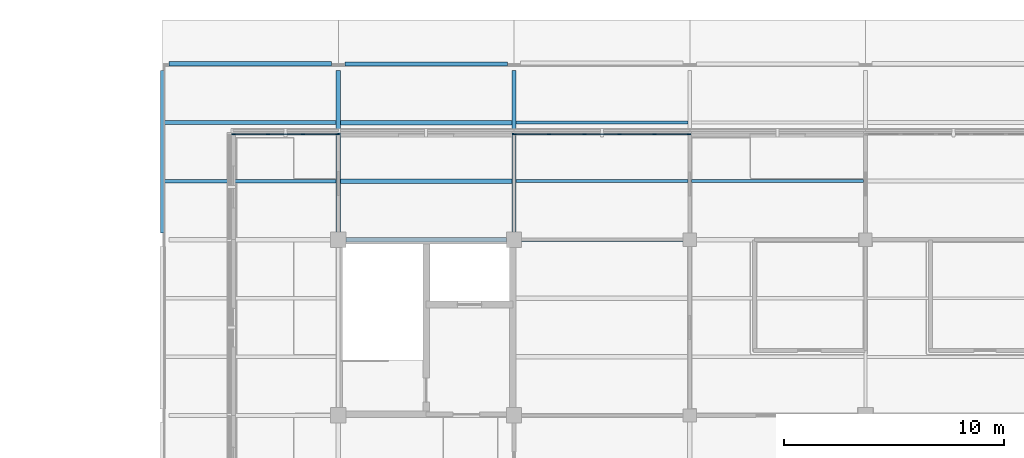
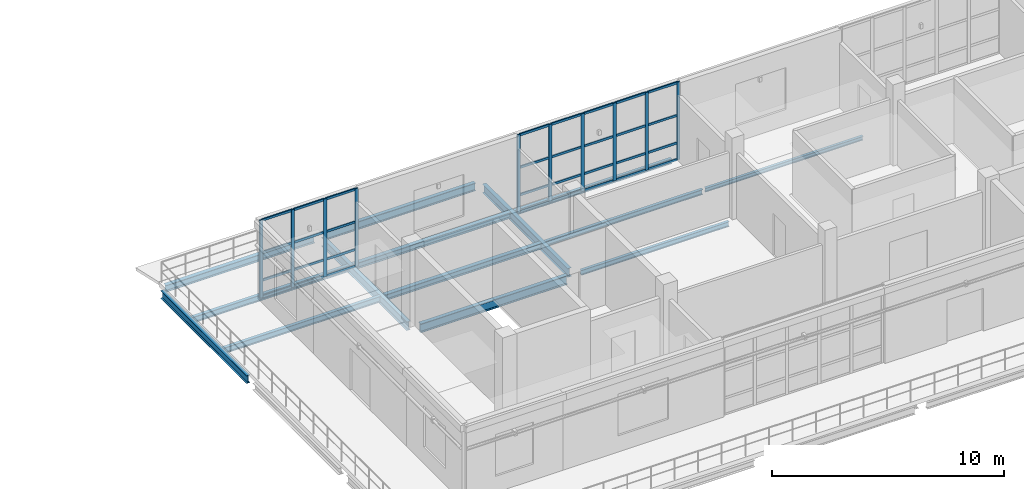
# One storey, part 9 of 24: 42 members, 14 beams, 2 elements without a shape of their own.
"""IFC4 building model written with IfcOpenShell, lengths in metres."""

from ifc_helpers import new_model, si_unit, derived_unit, direction, frame, origin, origin_2d, place, context, subcontext, project, spatial, rectangle, i_section, extrude, material, layer, layer_set, material_profile, profile_set, type_object, element, aggregate, save


model = new_model("IFC4")

# Units and contexts
model_context = context("Model", 3, precision=1e-05, world=origin(), true_north=direction((0.0, 1.0)))
body_context = subcontext(model_context, "Body", "Model", "MODEL_VIEW")
ifc_project = project(units=[si_unit("LENGTHUNIT", "METRE"), si_unit("AREAUNIT", "SQUARE_METRE"), si_unit("VOLUMEUNIT", "CUBIC_METRE"), si_unit("PLANEANGLEUNIT", "RADIAN"), si_unit("MASSUNIT", "GRAM", prefix="KILO"), derived_unit("THERMALTRANSMITTANCEUNIT", [(si_unit("MASSUNIT", "GRAM", prefix="KILO"), 1), (si_unit("TIMEUNIT", "SECOND"), -3), (si_unit("THERMODYNAMICTEMPERATUREUNIT", "KELVIN"), -1)])], contexts=[model_context])

# Site, building, storey
site_placement = place(None, origin())
site = spatial("IfcSite", under=ifc_project, at=site_placement, CompositionType="ELEMENT")
building_placement = place(site_placement, origin())
building = spatial("IfcBuilding", under=site, at=building_placement, Name="Veyamyaing Civic Hall", CompositionType="ELEMENT")
storey_placement = place(building_placement, frame((0.0, 0.0, 25.739990234375)))
storey = spatial("IfcBuildingStorey", under=building, at=storey_placement, Name="L06", CompositionType="ELEMENT", Elevation=25.739990234375)

# Beams
ifc_material_1 = material(Name="Steel ASTM A992", Category="steel")
ifc_material_profile_1 = material_profile(ifc_material_1, i_section(OverallWidth=0.19189453125, OverallDepth=0.462890625, WebThickness=0.010498046875, FlangeThickness=0.017578125, FilletRadius=0.010009765625, at=origin_2d()), Name="W460X89")
ifc_profile_set_1 = profile_set([ifc_material_profile_1], Name="Steel ASTM A992")
beam_type_1 = type_object("IfcBeamType", Name="B-08", PredefinedType="BEAM", material=ifc_profile_set_1)
beam_1_placement = place(storey_placement, frame((136.0, 104.35009765625, -0.46142578125), z_axis=(0.0, 1.0, 0.0), x_axis=(-1.0, 0.0, 0.0)))
element("IfcBeam", 1, at=beam_1_placement, inside=storey, type_object=beam_type_1, Name="Girder B-08 L06 Grid 18 P-Q", PredefinedType="BEAM", context=body_context, shape_type="SweptSolid", body=[
    extrude(i_section(OverallWidth=0.19189453125, OverallDepth=0.462890625, WebThickness=0.010498046875, FlangeThickness=0.017578125, FilletRadius=0.010009765625, at=origin_2d()), origin(), (0.0, 0.0, 1.0), 7.349853515625),
])
ifc_material_profile_2 = material_profile(ifc_material_1, i_section(OverallWidth=0.18994140625, OverallDepth=0.45703125, WebThickness=0.009033203125, FlangeThickness=0.014404296875, FilletRadius=0.010009765625, at=origin_2d()), Name="W460X74")
ifc_profile_set_2 = profile_set([ifc_material_profile_2], Name="Steel ASTM A992")
beam_type_2 = type_object("IfcBeamType", Name="B-09", PredefinedType="BEAM", material=ifc_profile_set_2)
beam_2_placement = place(storey_placement, frame((144.0, 104.35009765625, -0.45849609375), z_axis=(0.0, 1.0, 0.0), x_axis=(-1.0, 0.0, 0.0)))
element("IfcBeam", 2, at=beam_2_placement, inside=storey, type_object=beam_type_2, Name="Girder B-09 L06 Grid 19 P-Q", PredefinedType="BEAM", context=body_context, shape_type="SweptSolid", body=[
    extrude(i_section(OverallWidth=0.18994140625, OverallDepth=0.45703125, WebThickness=0.009033203125, FlangeThickness=0.014404296875, FilletRadius=0.010009765625, at=origin_2d()), origin(), (0.0, 0.0, 1.0), 7.349853515625),
])
ifc_material_profile_3 = material_profile(ifc_material_1, i_section(OverallWidth=0.179931640625, OverallDepth=0.4130859375, WebThickness=0.009765625, FlangeThickness=0.01611328125, FilletRadius=0.010009765625, at=origin_2d()), Name="W410X74")
ifc_profile_set_3 = profile_set([ifc_material_profile_3], Name="Steel ASTM A992")
beam_type_3 = type_object("IfcBeamType", Name="B-10", PredefinedType="SPANDREL", material=ifc_profile_set_3)
beam_3_placement = place(storey_placement, frame((128.0, 104.300048828125, -0.4365234375), z_axis=(0.0, 1.0, 0.0), x_axis=(-1.0, 0.0, 0.0)))
element("IfcBeam", 3, at=beam_3_placement, inside=storey, type_object=beam_type_3, Name="Girder B-10 L06 Grid 17 P-Q", PredefinedType="SPANDREL", context=body_context, shape_type="SweptSolid", body=[
    extrude(i_section(OverallWidth=0.179931640625, OverallDepth=0.4130859375, WebThickness=0.009765625, FlangeThickness=0.01611328125, FilletRadius=0.010009765625, at=origin_2d()), origin(), (0.0, 0.0, 1.0), 7.39990234375),
])
ifc_material_profile_4 = material_profile(ifc_material_1, i_section(OverallWidth=0.2041015625, OverallDepth=0.35009765625, WebThickness=0.0078125, FlangeThickness=0.01513671875, FilletRadius=0.010009765625, at=origin_2d()), Name="W360X72")
ifc_profile_set_4 = profile_set([ifc_material_profile_4], Name="Steel ASTM A992")
beam_type_4 = type_object("IfcBeamType", Name="B-11", PredefinedType="SPANDREL", material=ifc_profile_set_4)
beam_4_placement = place(storey_placement, frame((128.300048828125, 112.0, -0.405029296875), z_axis=(1.0, 0.0, 0.0), x_axis=(0.0, 1.0, 0.0)))
element("IfcBeam", 4, at=beam_4_placement, inside=storey, type_object=beam_type_4, Name="Girder B-11 L06 Grid Q 17-18", PredefinedType="SPANDREL", context=body_context, shape_type="SweptSolid", body=[
    extrude(i_section(OverallWidth=0.2041015625, OverallDepth=0.35009765625, WebThickness=0.0078125, FlangeThickness=0.01513671875, FilletRadius=0.010009765625, at=origin_2d()), origin(), (0.0, 0.0, 1.0), 7.39990234375),
])
ifc_material_profile_5 = material_profile(ifc_material_1, i_section(OverallWidth=0.14599609375, OverallDepth=0.258056640625, WebThickness=0.006103515625, FlangeThickness=0.009033203125, FilletRadius=0.010009765625, at=origin_2d()), Name="W250X33")
ifc_profile_set_5 = profile_set([ifc_material_profile_5], Name="Steel ASTM A992")
beam_type_5 = type_object("IfcBeamType", Name="B-12", PredefinedType="BEAM", material=ifc_profile_set_5)
beam_5_placement = place(storey_placement, frame((144.35009765625, 104.0, -0.35400390625), z_axis=(1.0, 0.0, 0.0), x_axis=(0.0, 1.0, 0.0)))
element("IfcBeam", 5, at=beam_5_placement, inside=storey, type_object=beam_type_5, Name="Girder B-12 L06 Grid P 19-20", PredefinedType="BEAM", context=body_context, shape_type="SweptSolid", body=[
    extrude(i_section(OverallWidth=0.14599609375, OverallDepth=0.258056640625, WebThickness=0.006103515625, FlangeThickness=0.009033203125, FilletRadius=0.010009765625, at=origin_2d()), origin(), (0.0, 0.0, 1.0), 7.349853515625),
])
ifc_material_profile_6 = material_profile(ifc_material_1, i_section(OverallWidth=0.194091796875, OverallDepth=0.468994140625, WebThickness=0.0126953125, FlangeThickness=0.0205078125, FilletRadius=0.010009765625, at=origin_2d()), Name="W460X106")
ifc_profile_set_6 = profile_set([ifc_material_profile_6], Name="Steel ASTM A992")
beam_type_6 = type_object("IfcBeamType", Name="B-18", PredefinedType="BEAM", material=ifc_profile_set_6)
beam_6_placement = place(storey_placement, frame((136.35009765625, 104.0, -0.45947265625), z_axis=(1.0, 0.0, 0.0), x_axis=(0.0, 1.0, 0.0)))
element("IfcBeam", 6, at=beam_6_placement, inside=storey, type_object=beam_type_6, Name="Girder B-18 L06 Grid P 18-19", PredefinedType="BEAM", context=body_context, shape_type="SweptSolid", body=[
    extrude(i_section(OverallWidth=0.194091796875, OverallDepth=0.468994140625, WebThickness=0.0126953125, FlangeThickness=0.0205078125, FilletRadius=0.010009765625, at=origin_2d()), origin(), (0.0, 0.0, 1.0), 7.2998046875),
])
ifc_material_profile_7 = material_profile(ifc_material_1, i_section(OverallWidth=0.180908203125, OverallDepth=0.4169921875, WebThickness=0.010986328125, FlangeThickness=0.018310546875, FilletRadius=0.010009765625, at=origin_2d()), Name="W410X85")
ifc_profile_set_7 = profile_set([ifc_material_profile_7], Name="Steel ASTM A992")
beam_type_7 = type_object("IfcBeamType", Name="B-19", PredefinedType="SPANDREL", material=ifc_profile_set_7)
beam_7_placement = place(storey_placement, frame((136.300048828125, 112.0, -0.4384765625), z_axis=(1.0, 0.0, 0.0), x_axis=(0.0, 1.0, 0.0)))
element("IfcBeam", 7, at=beam_7_placement, inside=storey, type_object=beam_type_7, Name="Girder B-19 L06 Grid Q 18-19", PredefinedType="SPANDREL", context=body_context, shape_type="SweptSolid", body=[
    extrude(i_section(OverallWidth=0.180908203125, OverallDepth=0.4169921875, WebThickness=0.010986328125, FlangeThickness=0.018310546875, FilletRadius=0.010009765625, at=origin_2d()), origin(), (0.0, 0.0, 1.0), 7.39990234375),
])

# Curtain wall, members
ifc_material_2 = material(Name="Anodised aluminium 6063-T6", Category="aluminium")
ifc_layer = layer(ifc_material_2, 0.159912109375, Name="Anodised aluminium 6063-T6")
ifc_layer_set = layer_set([ifc_layer], Name="Anodised aluminium 6063-T6")
curtain_wall_type = type_object("IfcCurtainWallType", Name="CW-05", PredefinedType="NOTDEFINED", material=ifc_layer_set)
curtain_wall_1_placement = place(storey_placement, origin())
curtain_wall_1 = element("IfcCurtainWall", 8, at=curtain_wall_1_placement, inside=storey, type_object=curtain_wall_type, Name="Executive terrace curtain wall CW-05 L06-NE-N-0", PredefinedType="NOTDEFINED")
ifc_material_profile_8 = material_profile(ifc_material_2, rectangle(XDim=0.06494140625, YDim=0.159912109375, at=origin_2d()), Name="ALU-MUL-65X160")
ifc_profile_set_8 = profile_set([ifc_material_profile_8], Name="Anodised aluminium 6063-T6")
member_type_1 = type_object("IfcMemberType", Name="CWM-01", PredefinedType="MULLION", material=ifc_profile_set_8)
member_1_placement = place(storey_placement, frame((131.232421875, 108.800048828125, 0.0), z_axis=(0.0, 0.0, 1.0), x_axis=(0.0, 1.0, 0.0)))
member_1 = element("IfcMember", 9, at=member_1_placement, type_object=member_type_1, Name="CW-05 mullion 1", PredefinedType="MULLION", context=body_context, shape_type="SweptSolid", body=[
    extrude(rectangle(XDim=0.06494140625, YDim=0.159912109375, at=origin_2d()), origin(), (0.0, 0.0, 1.0), 4.090087890625),
])
member_2_placement = place(storey_placement, frame((132.800048828125, 108.800048828125, 0.0), z_axis=(0.0, 0.0, 1.0), x_axis=(0.0, 1.0, 0.0)))
member_2 = element("IfcMember", 10, at=member_2_placement, type_object=member_type_1, Name="CW-05 mullion 2", PredefinedType="MULLION", context=body_context, shape_type="SweptSolid", body=[
    extrude(rectangle(XDim=0.06494140625, YDim=0.159912109375, at=origin_2d()), origin(), (0.0, 0.0, 1.0), 4.090087890625),
])
member_3_placement = place(storey_placement, frame((134.39990234375, 108.800048828125, 0.0), z_axis=(0.0, 0.0, 1.0), x_axis=(0.0, 1.0, 0.0)))
member_3 = element("IfcMember", 11, at=member_3_placement, type_object=member_type_1, Name="CW-05 mullion 3", PredefinedType="MULLION", context=body_context, shape_type="SweptSolid", body=[
    extrude(rectangle(XDim=0.06494140625, YDim=0.159912109375, at=origin_2d()), origin(), (0.0, 0.0, 1.0), 4.090087890625),
])
member_4_placement = place(storey_placement, frame((135.967529296875, 108.800048828125, 0.0), z_axis=(0.0, 0.0, 1.0), x_axis=(0.0, 1.0, 0.0)))
member_4 = element("IfcMember", 12, at=member_4_placement, type_object=member_type_1, Name="CW-05 mullion 4", PredefinedType="MULLION", context=body_context, shape_type="SweptSolid", body=[
    extrude(rectangle(XDim=0.06494140625, YDim=0.159912109375, at=origin_2d()), origin(), (0.0, 0.0, 1.0), 4.090087890625),
])

curtain_wall_2_placement = place(storey_placement, origin())
curtain_wall_2 = element("IfcCurtainWall", 13, at=curtain_wall_2_placement, inside=storey, type_object=curtain_wall_type, Name="Executive terrace curtain wall CW-05 L06-NE-N-2", PredefinedType="NOTDEFINED")
member_5_placement = place(storey_placement, frame((144.032470703125, 108.800048828125, 0.0), z_axis=(0.0, 0.0, 1.0), x_axis=(0.0, 1.0, 0.0)))
member_5 = element("IfcMember", 14, at=member_5_placement, type_object=member_type_1, Name="CW-05 mullion 1", PredefinedType="MULLION", context=body_context, shape_type="SweptSolid", body=[
    extrude(rectangle(XDim=0.06494140625, YDim=0.159912109375, at=origin_2d()), origin(), (0.0, 0.0, 1.0), 4.090087890625),
])
member_6_placement = place(storey_placement, frame((145.60009765625, 108.800048828125, 0.0), z_axis=(0.0, 0.0, 1.0), x_axis=(0.0, 1.0, 0.0)))
member_6 = element("IfcMember", 15, at=member_6_placement, type_object=member_type_1, Name="CW-05 mullion 2", PredefinedType="MULLION", context=body_context, shape_type="SweptSolid", body=[
    extrude(rectangle(XDim=0.06494140625, YDim=0.159912109375, at=origin_2d()), origin(), (0.0, 0.0, 1.0), 4.090087890625),
])
member_7_placement = place(storey_placement, frame((147.199951171875, 108.800048828125, 0.0), z_axis=(0.0, 0.0, 1.0), x_axis=(0.0, 1.0, 0.0)))
member_7 = element("IfcMember", 16, at=member_7_placement, type_object=member_type_1, Name="CW-05 mullion 3", PredefinedType="MULLION", context=body_context, shape_type="SweptSolid", body=[
    extrude(rectangle(XDim=0.06494140625, YDim=0.159912109375, at=origin_2d()), origin(), (0.0, 0.0, 1.0), 4.090087890625),
])
member_8_placement = place(storey_placement, frame((148.800048828125, 108.800048828125, 0.0), z_axis=(0.0, 0.0, 1.0), x_axis=(0.0, 1.0, 0.0)))
member_8 = element("IfcMember", 17, at=member_8_placement, type_object=member_type_1, Name="CW-05 mullion 4", PredefinedType="MULLION", context=body_context, shape_type="SweptSolid", body=[
    extrude(rectangle(XDim=0.06494140625, YDim=0.159912109375, at=origin_2d()), origin(), (0.0, 0.0, 1.0), 4.090087890625),
])
member_9_placement = place(storey_placement, frame((150.39990234375, 108.800048828125, 0.0), z_axis=(0.0, 0.0, 1.0), x_axis=(0.0, 1.0, 0.0)))
member_9 = element("IfcMember", 18, at=member_9_placement, type_object=member_type_1, Name="CW-05 mullion 5", PredefinedType="MULLION", context=body_context, shape_type="SweptSolid", body=[
    extrude(rectangle(XDim=0.06494140625, YDim=0.159912109375, at=origin_2d()), origin(), (0.0, 0.0, 1.0), 4.090087890625),
])
member_10_placement = place(storey_placement, frame((151.967529296875, 108.800048828125, 0.0), z_axis=(0.0, 0.0, 1.0), x_axis=(0.0, 1.0, 0.0)))
member_10 = element("IfcMember", 19, at=member_10_placement, type_object=member_type_1, Name="CW-05 mullion 6", PredefinedType="MULLION", context=body_context, shape_type="SweptSolid", body=[
    extrude(rectangle(XDim=0.06494140625, YDim=0.159912109375, at=origin_2d()), origin(), (0.0, 0.0, 1.0), 4.090087890625),
])

# Member
ifc_material_profile_9 = material_profile(ifc_material_2, rectangle(XDim=0.06494140625, YDim=0.1201171875, at=origin_2d()), Name="ALU-TRN-65X120")
ifc_profile_set_9 = profile_set([ifc_material_profile_9], Name="Anodised aluminium 6063-T6")
member_type_2 = type_object("IfcMemberType", Name="CWT-01", PredefinedType="USERDEFINED", material=ifc_profile_set_9)
member_11_placement = place(storey_placement, frame((131.264892578125, 108.800048828125, 0.032470703125), z_axis=(1.0, 0.0, 0.0), x_axis=(0.0, 1.0, 0.0)))
member_11 = element("IfcMember", 20, at=member_11_placement, type_object=member_type_2, Name="CW-05 transom 1.1", ObjectType="TRANSOM", PredefinedType="USERDEFINED", context=body_context, shape_type="SweptSolid", body=[
    extrude(rectangle(XDim=0.06494140625, YDim=0.1201171875, at=origin_2d()), origin(), (0.0, 0.0, 1.0), 1.502685546875),
])

member_12_placement = place(storey_placement, frame((131.264892578125, 108.800048828125, 0.89990234375), z_axis=(1.0, 0.0, 0.0), x_axis=(0.0, 1.0, 0.0)))
member_12 = element("IfcMember", 21, at=member_12_placement, type_object=member_type_2, Name="CW-05 transom 1.2", ObjectType="TRANSOM", PredefinedType="USERDEFINED", context=body_context, shape_type="SweptSolid", body=[
    extrude(rectangle(XDim=0.06494140625, YDim=0.1201171875, at=origin_2d()), origin(), (0.0, 0.0, 1.0), 1.502685546875),
])

member_13_placement = place(storey_placement, frame((131.264892578125, 108.800048828125, 2.35009765625), z_axis=(1.0, 0.0, 0.0), x_axis=(0.0, 1.0, 0.0)))
member_13 = element("IfcMember", 22, at=member_13_placement, type_object=member_type_2, Name="CW-05 transom 1.3", ObjectType="TRANSOM", PredefinedType="USERDEFINED", context=body_context, shape_type="SweptSolid", body=[
    extrude(rectangle(XDim=0.06494140625, YDim=0.1201171875, at=origin_2d()), origin(), (0.0, 0.0, 1.0), 1.502685546875),
])

member_14_placement = place(storey_placement, frame((131.264892578125, 108.800048828125, 4.0576171875), z_axis=(1.0, 0.0, 0.0), x_axis=(0.0, 1.0, 0.0)))
member_14 = element("IfcMember", 23, at=member_14_placement, type_object=member_type_2, Name="CW-05 transom 1.4", ObjectType="TRANSOM", PredefinedType="USERDEFINED", context=body_context, shape_type="SweptSolid", body=[
    extrude(rectangle(XDim=0.06494140625, YDim=0.1201171875, at=origin_2d()), origin(), (0.0, 0.0, 1.0), 1.502685546875),
])

member_15_placement = place(storey_placement, frame((132.83251953125, 108.800048828125, 0.032470703125), z_axis=(1.0, 0.0, 0.0), x_axis=(0.0, 1.0, 0.0)))
member_15 = element("IfcMember", 24, at=member_15_placement, type_object=member_type_2, Name="CW-05 transom 2.1", ObjectType="TRANSOM", PredefinedType="USERDEFINED", context=body_context, shape_type="SweptSolid", body=[
    extrude(rectangle(XDim=0.06494140625, YDim=0.1201171875, at=origin_2d()), origin(), (0.0, 0.0, 1.0), 1.534912109375),
])

member_16_placement = place(storey_placement, frame((132.83251953125, 108.800048828125, 0.89990234375), z_axis=(1.0, 0.0, 0.0), x_axis=(0.0, 1.0, 0.0)))
member_16 = element("IfcMember", 25, at=member_16_placement, type_object=member_type_2, Name="CW-05 transom 2.2", ObjectType="TRANSOM", PredefinedType="USERDEFINED", context=body_context, shape_type="SweptSolid", body=[
    extrude(rectangle(XDim=0.06494140625, YDim=0.1201171875, at=origin_2d()), origin(), (0.0, 0.0, 1.0), 1.534912109375),
])

member_17_placement = place(storey_placement, frame((132.83251953125, 108.800048828125, 2.35009765625), z_axis=(1.0, 0.0, 0.0), x_axis=(0.0, 1.0, 0.0)))
member_17 = element("IfcMember", 26, at=member_17_placement, type_object=member_type_2, Name="CW-05 transom 2.3", ObjectType="TRANSOM", PredefinedType="USERDEFINED", context=body_context, shape_type="SweptSolid", body=[
    extrude(rectangle(XDim=0.06494140625, YDim=0.1201171875, at=origin_2d()), origin(), (0.0, 0.0, 1.0), 1.534912109375),
])

member_18_placement = place(storey_placement, frame((132.83251953125, 108.800048828125, 4.0576171875), z_axis=(1.0, 0.0, 0.0), x_axis=(0.0, 1.0, 0.0)))
member_18 = element("IfcMember", 27, at=member_18_placement, type_object=member_type_2, Name="CW-05 transom 2.4", ObjectType="TRANSOM", PredefinedType="USERDEFINED", context=body_context, shape_type="SweptSolid", body=[
    extrude(rectangle(XDim=0.06494140625, YDim=0.1201171875, at=origin_2d()), origin(), (0.0, 0.0, 1.0), 1.534912109375),
])

member_19_placement = place(storey_placement, frame((134.4326171875, 108.800048828125, 0.032470703125), z_axis=(1.0, 0.0, 0.0), x_axis=(0.0, 1.0, 0.0)))
member_19 = element("IfcMember", 28, at=member_19_placement, type_object=member_type_2, Name="CW-05 transom 3.1", ObjectType="TRANSOM", PredefinedType="USERDEFINED", context=body_context, shape_type="SweptSolid", body=[
    extrude(rectangle(XDim=0.06494140625, YDim=0.1201171875, at=origin_2d()), origin(), (0.0, 0.0, 1.0), 1.50244140625),
])

member_20_placement = place(storey_placement, frame((134.4326171875, 108.800048828125, 0.89990234375), z_axis=(1.0, 0.0, 0.0), x_axis=(0.0, 1.0, 0.0)))
member_20 = element("IfcMember", 29, at=member_20_placement, type_object=member_type_2, Name="CW-05 transom 3.2", ObjectType="TRANSOM", PredefinedType="USERDEFINED", context=body_context, shape_type="SweptSolid", body=[
    extrude(rectangle(XDim=0.06494140625, YDim=0.1201171875, at=origin_2d()), origin(), (0.0, 0.0, 1.0), 1.50244140625),
])

member_21_placement = place(storey_placement, frame((134.4326171875, 108.800048828125, 2.35009765625), z_axis=(1.0, 0.0, 0.0), x_axis=(0.0, 1.0, 0.0)))
member_21 = element("IfcMember", 30, at=member_21_placement, type_object=member_type_2, Name="CW-05 transom 3.3", ObjectType="TRANSOM", PredefinedType="USERDEFINED", context=body_context, shape_type="SweptSolid", body=[
    extrude(rectangle(XDim=0.06494140625, YDim=0.1201171875, at=origin_2d()), origin(), (0.0, 0.0, 1.0), 1.50244140625),
])

member_22_placement = place(storey_placement, frame((134.4326171875, 108.800048828125, 4.0576171875), z_axis=(1.0, 0.0, 0.0), x_axis=(0.0, 1.0, 0.0)))
member_22 = element("IfcMember", 31, at=member_22_placement, type_object=member_type_2, Name="CW-05 transom 3.4", ObjectType="TRANSOM", PredefinedType="USERDEFINED", context=body_context, shape_type="SweptSolid", body=[
    extrude(rectangle(XDim=0.06494140625, YDim=0.1201171875, at=origin_2d()), origin(), (0.0, 0.0, 1.0), 1.50244140625),
])

aggregate(curtain_wall_1, [member_1, member_2, member_3, member_4, member_11, member_12, member_13, member_14, member_15, member_16, member_17, member_18, member_19, member_20, member_21, member_22])

member_23_placement = place(storey_placement, frame((144.06494140625, 108.800048828125, 0.032470703125), z_axis=(1.0, 0.0, 0.0), x_axis=(0.0, 1.0, 0.0)))
member_23 = element("IfcMember", 32, at=member_23_placement, type_object=member_type_2, Name="CW-05 transom 1.1", ObjectType="TRANSOM", PredefinedType="USERDEFINED", context=body_context, shape_type="SweptSolid", body=[
    extrude(rectangle(XDim=0.06494140625, YDim=0.1201171875, at=origin_2d()), origin(), (0.0, 0.0, 1.0), 1.50244140625),
])

member_24_placement = place(storey_placement, frame((144.06494140625, 108.800048828125, 0.89990234375), z_axis=(1.0, 0.0, 0.0), x_axis=(0.0, 1.0, 0.0)))
member_24 = element("IfcMember", 33, at=member_24_placement, type_object=member_type_2, Name="CW-05 transom 1.2", ObjectType="TRANSOM", PredefinedType="USERDEFINED", context=body_context, shape_type="SweptSolid", body=[
    extrude(rectangle(XDim=0.06494140625, YDim=0.1201171875, at=origin_2d()), origin(), (0.0, 0.0, 1.0), 1.50244140625),
])

member_25_placement = place(storey_placement, frame((144.06494140625, 108.800048828125, 2.35009765625), z_axis=(1.0, 0.0, 0.0), x_axis=(0.0, 1.0, 0.0)))
member_25 = element("IfcMember", 34, at=member_25_placement, type_object=member_type_2, Name="CW-05 transom 1.3", ObjectType="TRANSOM", PredefinedType="USERDEFINED", context=body_context, shape_type="SweptSolid", body=[
    extrude(rectangle(XDim=0.06494140625, YDim=0.1201171875, at=origin_2d()), origin(), (0.0, 0.0, 1.0), 1.50244140625),
])

member_26_placement = place(storey_placement, frame((144.06494140625, 108.800048828125, 4.0576171875), z_axis=(1.0, 0.0, 0.0), x_axis=(0.0, 1.0, 0.0)))
member_26 = element("IfcMember", 35, at=member_26_placement, type_object=member_type_2, Name="CW-05 transom 1.4", ObjectType="TRANSOM", PredefinedType="USERDEFINED", context=body_context, shape_type="SweptSolid", body=[
    extrude(rectangle(XDim=0.06494140625, YDim=0.1201171875, at=origin_2d()), origin(), (0.0, 0.0, 1.0), 1.50244140625),
])

member_27_placement = place(storey_placement, frame((145.632568359375, 108.800048828125, 0.032470703125), z_axis=(1.0, 0.0, 0.0), x_axis=(0.0, 1.0, 0.0)))
member_27 = element("IfcMember", 36, at=member_27_placement, type_object=member_type_2, Name="CW-05 transom 2.1", ObjectType="TRANSOM", PredefinedType="USERDEFINED", context=body_context, shape_type="SweptSolid", body=[
    extrude(rectangle(XDim=0.06494140625, YDim=0.1201171875, at=origin_2d()), origin(), (0.0, 0.0, 1.0), 1.534912109375),
])

member_28_placement = place(storey_placement, frame((145.632568359375, 108.800048828125, 0.89990234375), z_axis=(1.0, 0.0, 0.0), x_axis=(0.0, 1.0, 0.0)))
member_28 = element("IfcMember", 37, at=member_28_placement, type_object=member_type_2, Name="CW-05 transom 2.2", ObjectType="TRANSOM", PredefinedType="USERDEFINED", context=body_context, shape_type="SweptSolid", body=[
    extrude(rectangle(XDim=0.06494140625, YDim=0.1201171875, at=origin_2d()), origin(), (0.0, 0.0, 1.0), 1.534912109375),
])

member_29_placement = place(storey_placement, frame((145.632568359375, 108.800048828125, 2.35009765625), z_axis=(1.0, 0.0, 0.0), x_axis=(0.0, 1.0, 0.0)))
member_29 = element("IfcMember", 38, at=member_29_placement, type_object=member_type_2, Name="CW-05 transom 2.3", ObjectType="TRANSOM", PredefinedType="USERDEFINED", context=body_context, shape_type="SweptSolid", body=[
    extrude(rectangle(XDim=0.06494140625, YDim=0.1201171875, at=origin_2d()), origin(), (0.0, 0.0, 1.0), 1.534912109375),
])

member_30_placement = place(storey_placement, frame((145.632568359375, 108.800048828125, 4.0576171875), z_axis=(1.0, 0.0, 0.0), x_axis=(0.0, 1.0, 0.0)))
member_30 = element("IfcMember", 39, at=member_30_placement, type_object=member_type_2, Name="CW-05 transom 2.4", ObjectType="TRANSOM", PredefinedType="USERDEFINED", context=body_context, shape_type="SweptSolid", body=[
    extrude(rectangle(XDim=0.06494140625, YDim=0.1201171875, at=origin_2d()), origin(), (0.0, 0.0, 1.0), 1.534912109375),
])

member_31_placement = place(storey_placement, frame((147.232421875, 108.800048828125, 0.032470703125), z_axis=(1.0, 0.0, 0.0), x_axis=(0.0, 1.0, 0.0)))
member_31 = element("IfcMember", 40, at=member_31_placement, type_object=member_type_2, Name="CW-05 transom 3.1", ObjectType="TRANSOM", PredefinedType="USERDEFINED", context=body_context, shape_type="SweptSolid", body=[
    extrude(rectangle(XDim=0.06494140625, YDim=0.1201171875, at=origin_2d()), origin(), (0.0, 0.0, 1.0), 1.53515625),
])

member_32_placement = place(storey_placement, frame((147.232421875, 108.800048828125, 0.89990234375), z_axis=(1.0, 0.0, 0.0), x_axis=(0.0, 1.0, 0.0)))
member_32 = element("IfcMember", 41, at=member_32_placement, type_object=member_type_2, Name="CW-05 transom 3.2", ObjectType="TRANSOM", PredefinedType="USERDEFINED", context=body_context, shape_type="SweptSolid", body=[
    extrude(rectangle(XDim=0.06494140625, YDim=0.1201171875, at=origin_2d()), origin(), (0.0, 0.0, 1.0), 1.53515625),
])

member_33_placement = place(storey_placement, frame((147.232421875, 108.800048828125, 2.35009765625), z_axis=(1.0, 0.0, 0.0), x_axis=(0.0, 1.0, 0.0)))
member_33 = element("IfcMember", 42, at=member_33_placement, type_object=member_type_2, Name="CW-05 transom 3.3", ObjectType="TRANSOM", PredefinedType="USERDEFINED", context=body_context, shape_type="SweptSolid", body=[
    extrude(rectangle(XDim=0.06494140625, YDim=0.1201171875, at=origin_2d()), origin(), (0.0, 0.0, 1.0), 1.53515625),
])

member_34_placement = place(storey_placement, frame((147.232421875, 108.800048828125, 4.0576171875), z_axis=(1.0, 0.0, 0.0), x_axis=(0.0, 1.0, 0.0)))
member_34 = element("IfcMember", 43, at=member_34_placement, type_object=member_type_2, Name="CW-05 transom 3.4", ObjectType="TRANSOM", PredefinedType="USERDEFINED", context=body_context, shape_type="SweptSolid", body=[
    extrude(rectangle(XDim=0.06494140625, YDim=0.1201171875, at=origin_2d()), origin(), (0.0, 0.0, 1.0), 1.53515625),
])

member_35_placement = place(storey_placement, frame((148.83251953125, 108.800048828125, 0.032470703125), z_axis=(1.0, 0.0, 0.0), x_axis=(0.0, 1.0, 0.0)))
member_35 = element("IfcMember", 44, at=member_35_placement, type_object=member_type_2, Name="CW-05 transom 4.1", ObjectType="TRANSOM", PredefinedType="USERDEFINED", context=body_context, shape_type="SweptSolid", body=[
    extrude(rectangle(XDim=0.06494140625, YDim=0.1201171875, at=origin_2d()), origin(), (0.0, 0.0, 1.0), 1.534912109375),
])

member_36_placement = place(storey_placement, frame((148.83251953125, 108.800048828125, 0.89990234375), z_axis=(1.0, 0.0, 0.0), x_axis=(0.0, 1.0, 0.0)))
member_36 = element("IfcMember", 45, at=member_36_placement, type_object=member_type_2, Name="CW-05 transom 4.2", ObjectType="TRANSOM", PredefinedType="USERDEFINED", context=body_context, shape_type="SweptSolid", body=[
    extrude(rectangle(XDim=0.06494140625, YDim=0.1201171875, at=origin_2d()), origin(), (0.0, 0.0, 1.0), 1.534912109375),
])

member_37_placement = place(storey_placement, frame((148.83251953125, 108.800048828125, 2.35009765625), z_axis=(1.0, 0.0, 0.0), x_axis=(0.0, 1.0, 0.0)))
member_37 = element("IfcMember", 46, at=member_37_placement, type_object=member_type_2, Name="CW-05 transom 4.3", ObjectType="TRANSOM", PredefinedType="USERDEFINED", context=body_context, shape_type="SweptSolid", body=[
    extrude(rectangle(XDim=0.06494140625, YDim=0.1201171875, at=origin_2d()), origin(), (0.0, 0.0, 1.0), 1.534912109375),
])

member_38_placement = place(storey_placement, frame((148.83251953125, 108.800048828125, 4.0576171875), z_axis=(1.0, 0.0, 0.0), x_axis=(0.0, 1.0, 0.0)))
member_38 = element("IfcMember", 47, at=member_38_placement, type_object=member_type_2, Name="CW-05 transom 4.4", ObjectType="TRANSOM", PredefinedType="USERDEFINED", context=body_context, shape_type="SweptSolid", body=[
    extrude(rectangle(XDim=0.06494140625, YDim=0.1201171875, at=origin_2d()), origin(), (0.0, 0.0, 1.0), 1.534912109375),
])

member_39_placement = place(storey_placement, frame((150.4326171875, 108.800048828125, 0.032470703125), z_axis=(1.0, 0.0, 0.0), x_axis=(0.0, 1.0, 0.0)))
member_39 = element("IfcMember", 48, at=member_39_placement, type_object=member_type_2, Name="CW-05 transom 5.1", ObjectType="TRANSOM", PredefinedType="USERDEFINED", context=body_context, shape_type="SweptSolid", body=[
    extrude(rectangle(XDim=0.06494140625, YDim=0.1201171875, at=origin_2d()), origin(), (0.0, 0.0, 1.0), 1.50244140625),
])

member_40_placement = place(storey_placement, frame((150.4326171875, 108.800048828125, 0.89990234375), z_axis=(1.0, 0.0, 0.0), x_axis=(0.0, 1.0, 0.0)))
member_40 = element("IfcMember", 49, at=member_40_placement, type_object=member_type_2, Name="CW-05 transom 5.2", ObjectType="TRANSOM", PredefinedType="USERDEFINED", context=body_context, shape_type="SweptSolid", body=[
    extrude(rectangle(XDim=0.06494140625, YDim=0.1201171875, at=origin_2d()), origin(), (0.0, 0.0, 1.0), 1.50244140625),
])

member_41_placement = place(storey_placement, frame((150.4326171875, 108.800048828125, 2.35009765625), z_axis=(1.0, 0.0, 0.0), x_axis=(0.0, 1.0, 0.0)))
member_41 = element("IfcMember", 50, at=member_41_placement, type_object=member_type_2, Name="CW-05 transom 5.3", ObjectType="TRANSOM", PredefinedType="USERDEFINED", context=body_context, shape_type="SweptSolid", body=[
    extrude(rectangle(XDim=0.06494140625, YDim=0.1201171875, at=origin_2d()), origin(), (0.0, 0.0, 1.0), 1.50244140625),
])

member_42_placement = place(storey_placement, frame((150.4326171875, 108.800048828125, 4.0576171875), z_axis=(1.0, 0.0, 0.0), x_axis=(0.0, 1.0, 0.0)))
member_42 = element("IfcMember", 51, at=member_42_placement, type_object=member_type_2, Name="CW-05 transom 5.4", ObjectType="TRANSOM", PredefinedType="USERDEFINED", context=body_context, shape_type="SweptSolid", body=[
    extrude(rectangle(XDim=0.06494140625, YDim=0.1201171875, at=origin_2d()), origin(), (0.0, 0.0, 1.0), 1.50244140625),
])

aggregate(curtain_wall_2, [member_5, member_6, member_7, member_8, member_9, member_10, member_23, member_24, member_25, member_26, member_27, member_28, member_29, member_30, member_31, member_32, member_33, member_34, member_35, member_36, member_37, member_38, member_39, member_40, member_41, member_42])

# Beams
ifc_material_profile_10 = material_profile(ifc_material_1, i_section(OverallWidth=0.1650390625, OverallDepth=0.31005859375, WebThickness=0.005859375, FlangeThickness=0.009765625, FilletRadius=0.010009765625, at=origin_2d()), Name="W310X39")
ifc_profile_set_10 = profile_set([ifc_material_profile_10], Name="Steel ASTM A992")
beam_type_8 = type_object("IfcBeamType", Name="J-05", PredefinedType="JOIST", material=ifc_profile_set_10)
for number, where, z_axis, x_axis, name in (
    (52, (128.087890625, 106.666748046875, -0.385009765625), (1.0, 0.0, 0.0), (0.0, 1.0, 0.0), "Composite floor joist J-05 L06 17.14.1"),
    (53, (128.087890625, 109.333251953125, -0.385009765625), (1.0, 0.0, 0.0), (0.0, 1.0, 0.0), "Composite floor joist J-05 L06 17.14.2"),
):
    element("IfcBeam", number, at=place(storey_placement, frame(where, z_axis=z_axis, x_axis=x_axis)), inside=storey, type_object=beam_type_8, Name=name, PredefinedType="JOIST", context=body_context, shape_type="SweptSolid", body=[
        extrude(i_section(OverallWidth=0.1650390625, OverallDepth=0.31005859375, WebThickness=0.005859375, FlangeThickness=0.009765625, FilletRadius=0.010009765625, at=origin_2d()), origin(), (0.0, 0.0, 1.0), 7.818115234375),
    ])
ifc_material_profile_11 = material_profile(ifc_material_1, i_section(OverallWidth=0.2041015625, OverallDepth=0.305908203125, WebThickness=0.008544921875, FlangeThickness=0.0146484375, FilletRadius=0.010009765625, at=origin_2d()), Name="W310X67")
ifc_profile_set_11 = profile_set([ifc_material_profile_11], Name="Steel ASTM A992")
beam_type_9 = type_object("IfcBeamType", Name="J-06", PredefinedType="JOIST", material=ifc_profile_set_11)
for number, where, z_axis, x_axis, name in (
    (54, (136.093994140625, 106.666748046875, -0.383056640625), (1.0, 0.0, 0.0), (0.0, 1.0, 0.0), "Composite floor joist J-06 L06 18.14.1"),
    (55, (136.093994140625, 109.333251953125, -0.383056640625), (1.0, 0.0, 0.0), (0.0, 1.0, 0.0), "Composite floor joist J-06 L06 18.14.2"),
):
    element("IfcBeam", number, at=place(storey_placement, frame(where, z_axis=z_axis, x_axis=x_axis)), inside=storey, type_object=beam_type_9, Name=name, PredefinedType="JOIST", context=body_context, shape_type="SweptSolid", body=[
        extrude(i_section(OverallWidth=0.2041015625, OverallDepth=0.305908203125, WebThickness=0.008544921875, FlangeThickness=0.0146484375, FilletRadius=0.010009765625, at=origin_2d()), origin(), (0.0, 0.0, 1.0), 7.81298828125),
    ])
ifc_material_profile_12 = material_profile(ifc_material_1, i_section(OverallWidth=0.14794921875, OverallDepth=0.26611328125, WebThickness=0.007568359375, FlangeThickness=0.012939453125, FilletRadius=0.010009765625, at=origin_2d()), Name="W250X45")
ifc_profile_set_12 = profile_set([ifc_material_profile_12], Name="Steel ASTM A992")
beam_type_10 = type_object("IfcBeamType", Name="J-07", PredefinedType="JOIST", material=ifc_profile_set_12)
for number, where, z_axis, x_axis, name in (
    (56, (144.093017578125, 106.666748046875, -0.363037109375), (1.0, 0.0, 0.0), (0.0, 1.0, 0.0), "Composite floor joist J-07 L06 19.14.1"),
    (57, (144.093017578125, 109.333251953125, -0.363037109375), (1.0, 0.0, 0.0), (0.0, 1.0, 0.0), "Composite floor joist J-07 L06 19.14.2"),
):
    element("IfcBeam", number, at=place(storey_placement, frame(where, z_axis=z_axis, x_axis=x_axis)), inside=storey, type_object=beam_type_10, Name=name, PredefinedType="JOIST", context=body_context, shape_type="SweptSolid", body=[
        extrude(i_section(OverallWidth=0.14794921875, OverallDepth=0.26611328125, WebThickness=0.007568359375, FlangeThickness=0.012939453125, FilletRadius=0.010009765625, at=origin_2d()), origin(), (0.0, 0.0, 1.0), 7.8359375),
    ])
ifc_material_profile_13 = material_profile(ifc_material_1, i_section(OverallWidth=0.133056640625, OverallDepth=0.20703125, WebThickness=0.005859375, FlangeThickness=0.00830078125, FilletRadius=0.010009765625, at=origin_2d()), Name="W200X27")
ifc_profile_set_13 = profile_set([ifc_material_profile_13], Name="Steel ASTM A992")
beam_type_11 = type_object("IfcBeamType", Name="J-08", PredefinedType="JOIST", material=ifc_profile_set_13)
beam_8_placement = place(storey_placement, frame((152.071044921875, 106.666748046875, -0.33349609375), z_axis=(1.0, 0.0, 0.0), x_axis=(0.0, 1.0, 0.0)))
element("IfcBeam", 58, at=beam_8_placement, inside=storey, type_object=beam_type_11, Name="Composite floor joist J-08 L06 20.14.1", PredefinedType="JOIST", context=body_context, shape_type="SweptSolid", body=[
    extrude(i_section(OverallWidth=0.133056640625, OverallDepth=0.20703125, WebThickness=0.005859375, FlangeThickness=0.00830078125, FilletRadius=0.010009765625, at=origin_2d()), origin(), (0.0, 0.0, 1.0), 7.8349609375),
])

save(model, "model.ifc")
